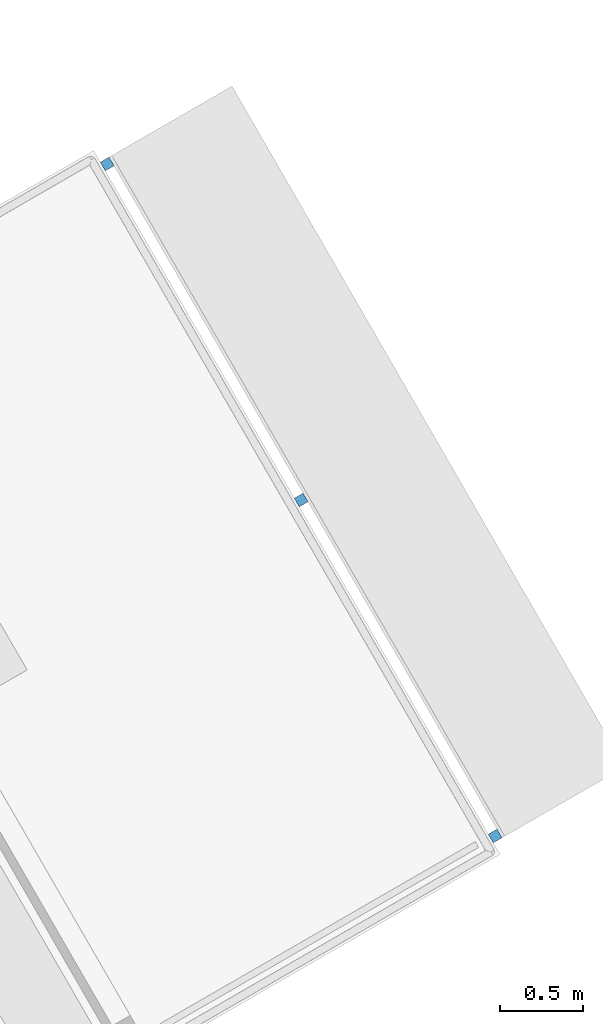
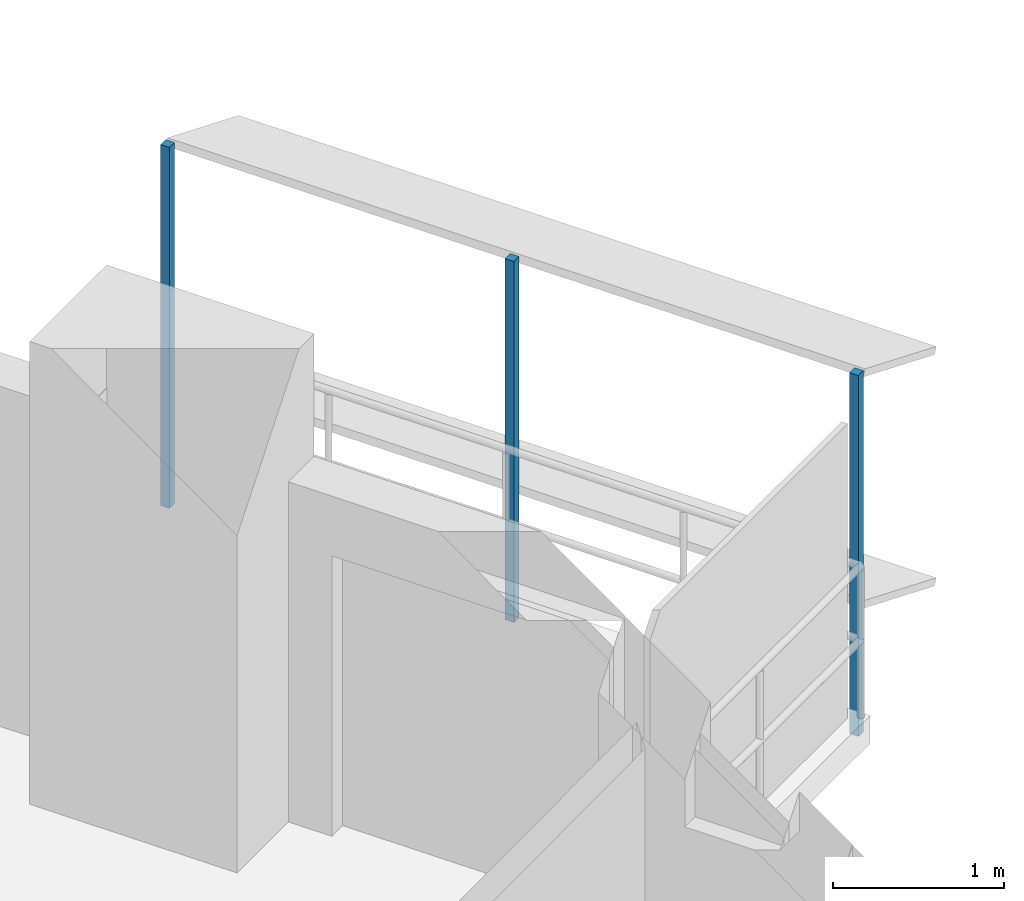
# One storey, part 10 of 13: 3 discrete accessories.
"""IFC4 building model written with IfcOpenShell, lengths in metres."""

import ifcopenshell
import ifcopenshell.guid

model = None  # the IFC model being written
_history = None  # IfcOwnerHistory: only IFC2X3 demands one
_inside = {}  # id of a spatial element -> (the spatial element, [elements in it])
_under = {}  # id of a project, library or spatial element -> (it, [spatial elements below it])
_declared = {}  # id of a project -> (the project, [libraries it declares])
_typed = {}  # id of a type object -> (the type object, [elements of that type])
_made_of = {}  # id of a material, layer set ... -> (it, [elements and type objects made of it])


def new_model(schema):
    """Start an empty IFC model of exactly this schema.

    Asked for "IFC4X3", IfcOpenShell would pick the latest addendum, in which some entities
    have other attributes; the version numbers below select the first issue.
    IFC2X3 requires an IfcOwnerHistory on every rooted entity: one is made here for all.
    """
    global model, _history
    if schema == "IFC4X3":
        model = ifcopenshell.file(schema_version=(4, 3, 0, 0))
    else:
        model = ifcopenshell.file(schema=schema)
    _inside.clear()
    _under.clear()
    _declared.clear()
    _typed.clear()
    _made_of.clear()
    _history = None
    if model.schema == "IFC2X3":
        org = make("IfcOrganization", Name="unknown")
        user = make(
            "IfcPersonAndOrganization",
            ThePerson=make("IfcPerson", FamilyName="unknown"),
            TheOrganization=org,
        )
        app = make(
            "IfcApplication",
            ApplicationDeveloper=org,
            Version="unknown",
            ApplicationFullName="unknown",
            ApplicationIdentifier="unknown",
        )
        _history = make(
            "IfcOwnerHistory",
            OwningUser=user,
            OwningApplication=app,
            ChangeAction="ADDED",
            CreationDate=0,
        )
    return model


def make(cls, **values):
    """One entity of the class cls with the attributes given. An attribute that is None is left unset."""
    return model.create_entity(
        cls, **{name: value for name, value in values.items() if value is not None}
    )


def rooted(cls, **values):
    """An entity with a GlobalId (a new one), such as an element, a storey or a relation."""
    return make(cls, GlobalId=ifcopenshell.guid.new(), OwnerHistory=_history, **values)


def si_unit(unit_type, name, prefix=None):
    """IfcSIUnit, for example si_unit("LENGTHUNIT", "METRE", prefix="MILLI")."""
    return make("IfcSIUnit", UnitType=unit_type, Prefix=prefix, Name=name)


def assignment(units):
    """IfcUnitAssignment: the units of a project."""
    return None if units is None else make("IfcUnitAssignment", Units=units)


def point(xyz):
    """IfcCartesianPoint."""
    return None if xyz is None else make("IfcCartesianPoint", Coordinates=xyz)


def direction(xyz):
    """IfcDirection."""
    return None if xyz is None else make("IfcDirection", DirectionRatios=xyz)


def frame(location, z_axis=None, x_axis=None):
    """IfcAxis2Placement3D, a coordinate frame: its origin and axes. An axis left out is left unset."""
    return make(
        "IfcAxis2Placement3D",
        Location=point(location),
        Axis=direction(z_axis),
        RefDirection=direction(x_axis),
    )


def frame_2d(location, x_axis=None):
    """IfcAxis2Placement2D, a coordinate frame in the plane: its origin and x axis."""
    return make(
        "IfcAxis2Placement2D", Location=point(location), RefDirection=direction(x_axis)
    )


def origin():
    """The frame at (0, 0, 0) with its axes left unset."""
    return frame((0.0, 0.0, 0.0))


def origin_2d():
    """The frame at (0, 0) in the plane with its x axis left unset."""
    return frame_2d((0.0, 0.0))


def place(relative_to, where):
    """IfcLocalPlacement: puts the frame where relative to a parent placement (None: the world)."""
    return make(
        "IfcLocalPlacement", PlacementRelTo=relative_to, RelativePlacement=where
    )


def context(
    kind, dimensions, precision=None, world=None, true_north=None, identifier=None
):
    """IfcGeometricRepresentationContext, for example the 3D "Model" context."""
    return make(
        "IfcGeometricRepresentationContext",
        ContextIdentifier=identifier,
        ContextType=kind,
        CoordinateSpaceDimension=dimensions,
        Precision=precision,
        WorldCoordinateSystem=world,
        TrueNorth=true_north,
    )


def subcontext(parent, identifier, kind, view, scale=None):
    """IfcGeometricRepresentationSubContext, for example "Body" below "Model"."""
    return make(
        "IfcGeometricRepresentationSubContext",
        ContextIdentifier=identifier,
        ContextType=kind,
        ParentContext=parent,
        TargetScale=scale,
        TargetView=view,
    )


def project(units=None, contexts=None):
    """IfcProject with its units and contexts."""
    return rooted(
        "IfcProject",
        Name="project",
        RepresentationContexts=contexts,
        UnitsInContext=assignment(units),
    )


def spatial(cls, under=None, at=None, **own):
    """A site, building, storey or space (cls), placed at a placement, below another one or the project."""
    s = rooted(cls, ObjectPlacement=at, **own)
    if under is not None:
        _under.setdefault(under.id(), (under, []))[1].append(s)
    return s


def profile(cls, at=None, kind="AREA", **sizes):
    """A parametric profile (cls). Its sizes go by their IFC names, for example OverallWidth=200.0."""
    return make(cls, ProfileType=kind, Position=at, **sizes)


def rectangle(**sizes):
    """IfcRectangleProfileDef."""
    return profile("IfcRectangleProfileDef", **sizes)


def extrude(swept, where, along, depth):
    """IfcExtrudedAreaSolid: the profile swept, set in the frame where, extruded along a direction by depth."""
    return make(
        "IfcExtrudedAreaSolid",
        SweptArea=swept,
        Position=where,
        ExtrudedDirection=direction(along),
        Depth=depth,
    )


def shape(context_of_items, identifier, shape_type, items):
    """IfcShapeRepresentation: the items that make up one representation, for example the "Body"."""
    return make(
        "IfcShapeRepresentation",
        ContextOfItems=context_of_items,
        RepresentationIdentifier=identifier,
        RepresentationType=shape_type,
        Items=items,
    )


def material(Name=None, Category=None):
    """IfcMaterial."""
    return make("IfcMaterial", Name=Name, Category=Category)


def made_of(thing, what):
    """Note that an element or type object is made of a material, layer set ...; save() writes the relation."""
    if what is not None:
        _made_of.setdefault(what.id(), (what, []))[1].append(thing)
    return thing


def type_object(cls, material=None, **own):
    """A type object (cls), such as IfcWallType, which elements share."""
    return made_of(rooted(cls, **own), material)


def element(
    cls,
    number,
    at=None,
    inside=None,
    cuts=None,
    type_object=None,
    material=None,
    context=None,
    identifier="Body",
    shape_type=None,
    held_by="IfcProductDefinitionShape",
    body=None,
    shapes=None,
    **own,
):
    """One element of the class cls, such as IfcWall. Its Tag is "e" and its number.

    at: its placement. inside: the storey or other place that contains it. cuts: it is an
    opening in that element (IfcRelVoidsElement). A single representation is given by context,
    identifier, shape_type and body (its items); several are given by shapes. held_by: the class
    of the entity that holds the representations. save() writes the other relations.
    """
    e = rooted(cls, Tag="e%d" % number, ObjectPlacement=at, **own)
    if body is not None:
        shapes = [shape(context, identifier, shape_type, body)]
    if shapes is not None:
        e.Representation = make(held_by, Representations=shapes)
    if inside is not None:
        _inside.setdefault(inside.id(), (inside, []))[1].append(e)
    if cuts is not None:
        rooted(
            "IfcRelVoidsElement", RelatingBuildingElement=cuts, RelatedOpeningElement=e
        )
    if type_object is not None:
        _typed.setdefault(type_object.id(), (type_object, []))[1].append(e)
    return made_of(e, material)


def aggregate(whole, parts):
    """IfcRelAggregates: a whole, such as a stair, and the parts it consists of."""
    return rooted("IfcRelAggregates", RelatingObject=whole, RelatedObjects=parts)


def save(model, path):
    """Write the relations noted so far, then the file.

    IfcRelAggregates (storeys below a building ...), IfcRelContainedInSpatialStructure (elements
    in a storey), IfcRelDefinesByType, IfcRelAssociatesMaterial and IfcRelDeclares: one each for
    every whole, place, type object, material and project.
    """
    for whole, parts in _under.values():
        aggregate(whole, parts)
    for where, things in _inside.values():
        rooted(
            "IfcRelContainedInSpatialStructure",
            RelatedElements=things,
            RelatingStructure=where,
        )
    for kind, things in _typed.values():
        rooted("IfcRelDefinesByType", RelatedObjects=things, RelatingType=kind)
    for what, things in _made_of.values():
        rooted("IfcRelAssociatesMaterial", RelatedObjects=things, RelatingMaterial=what)
    for by, libraries in _declared.values():
        rooted("IfcRelDeclares", RelatingContext=by, RelatedDefinitions=libraries)
    model.write(path)


model = new_model("IFC4")

# Units and contexts
model_context = context("Model", 3, precision=1e-05, world=origin(), true_north=direction((0.0, 1.0)))
body_context = subcontext(model_context, "Body", "Model", "MODEL_VIEW")
ifc_project = project(units=[si_unit("LENGTHUNIT", "METRE"), si_unit("AREAUNIT", "SQUARE_METRE"), si_unit("VOLUMEUNIT", "CUBIC_METRE"), si_unit("PLANEANGLEUNIT", "RADIAN"), si_unit("MASSUNIT", "GRAM", prefix="KILO")], contexts=[model_context])

# Site, building, storey
site_placement = place(None, origin())
site = spatial("IfcSite", under=ifc_project, at=site_placement, CompositionType="ELEMENT")
building_placement = place(site_placement, origin())
building = spatial("IfcBuilding", under=site, at=building_placement, Name="Nakaniwa Court", CompositionType="ELEMENT")
storey_placement = place(building_placement, frame((0.0, 0.0, 77.699951171875)))
storey = spatial("IfcBuildingStorey", under=building, at=storey_placement, Name="L19", CompositionType="ELEMENT", Elevation=77.699951171875)

# Discrete accessories
ifc_material = material(Name="Black powder-coated steel bracket S275", Category="steel")
discrete_accessory_type = type_object("IfcDiscreteAccessoryType", Name="Black metal louvre bracket", PredefinedType="BRACKET", material=ifc_material)
for number, where, z_axis, x_axis, name in (
    (1, (104.280029296875, 90.8056640625, -0.229736328125), (0.0, 0.0, 1.0), (-0.499974304289, 0.866040238702, 0.0), "L19 louvre bracket 01 1"),
    (2, (103.118408203125, 92.817626953125, -0.229736328125), (0.0, 0.0, 1.0), (-0.499974304289, 0.866040238702, 0.0), "L19 louvre bracket 01 2"),
    (3, (101.956787109375, 94.829833984375, -0.229736328125), (0.0, 0.0, 1.0), (-0.499974304289, 0.866040238702, 0.0), "L19 louvre bracket 01 3"),
):
    element("IfcDiscreteAccessory", number, at=place(storey_placement, frame(where, z_axis=z_axis, x_axis=x_axis)), inside=storey, type_object=discrete_accessory_type, Name=name, PredefinedType="BRACKET", context=body_context, shape_type="SweptSolid", body=[
        extrude(rectangle(XDim=0.06005859375, YDim=0.06005859375, at=origin_2d()), origin(), (0.0, 0.0, 1.0), 2.5751953125),
    ])

save(model, "model.ifc")
